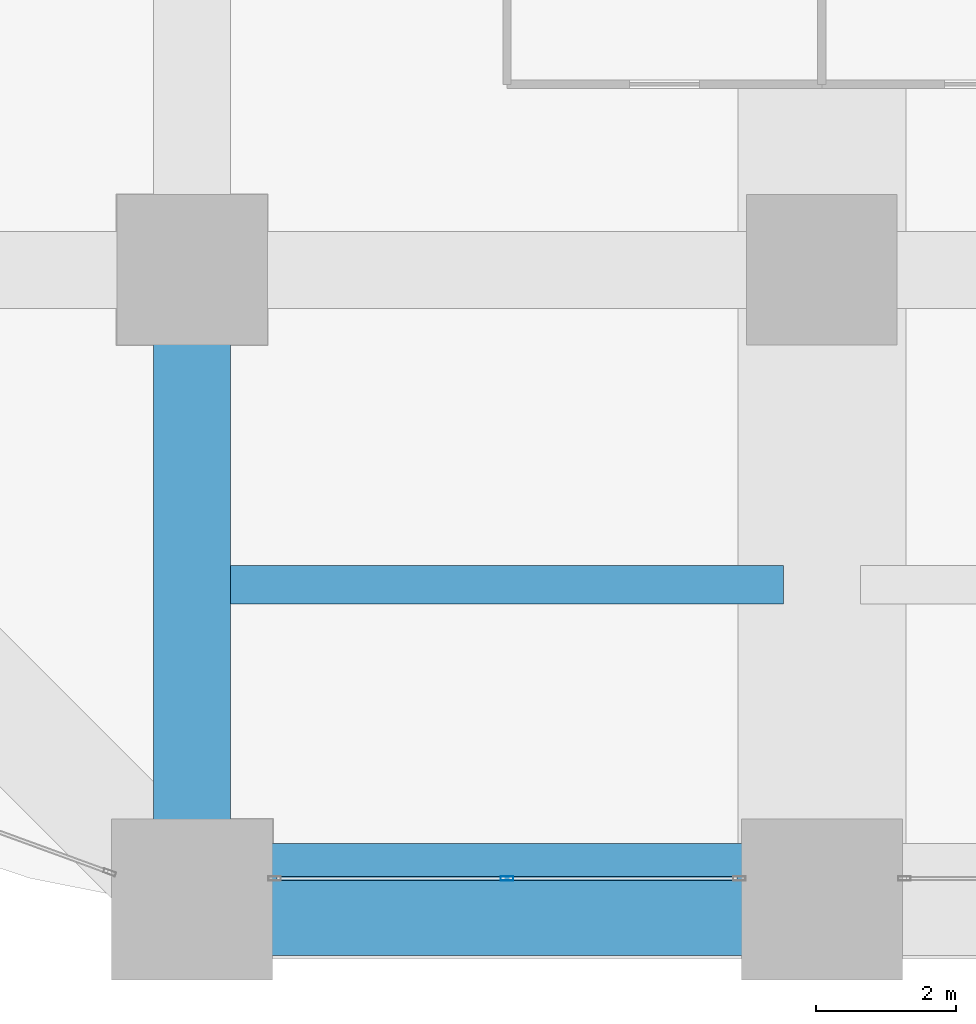
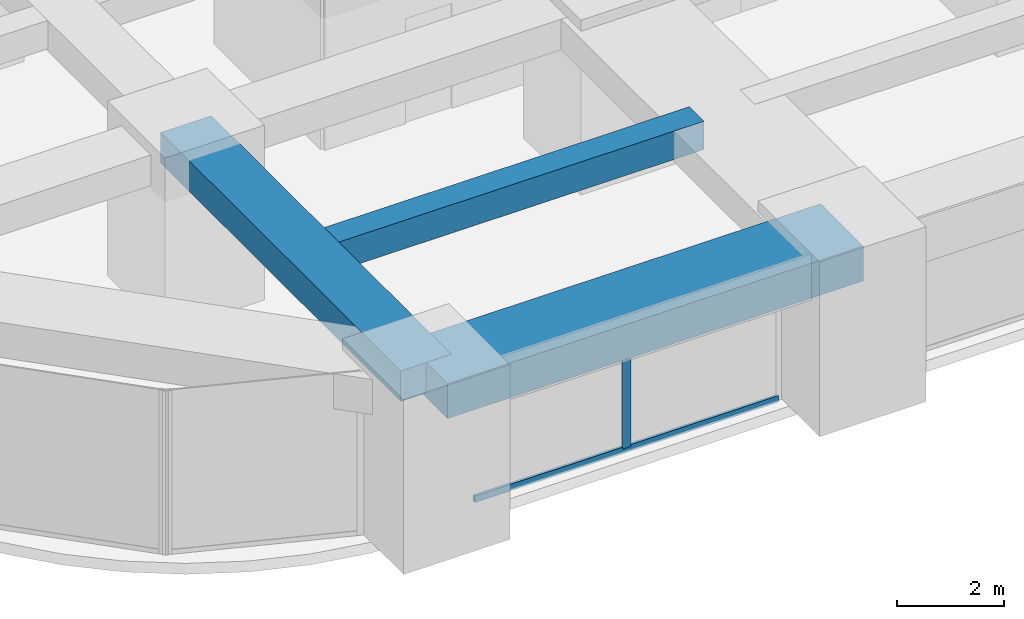
# One storey, part 3 of 44: 3 beams, 2 members, 1 element without a shape of its own.
"""IFC4 building model written with IfcOpenShell, lengths in metres."""

from ifc_helpers import new_model, si_unit, direction, frame, origin, origin_2d, place, context, subcontext, project, spatial, rectangle, hollow_rectangle, extrude, material, material_profile, profile_set, type_object, element, aggregate, save


model = new_model("IFC4")

# Units and contexts
model_context = context("Model", 3, precision=1e-05, world=origin(), true_north=direction((0.0, 1.0)))
body_context = subcontext(model_context, "Body", "Model", "MODEL_VIEW")
ifc_project = project(units=[si_unit("LENGTHUNIT", "METRE"), si_unit("AREAUNIT", "SQUARE_METRE"), si_unit("VOLUMEUNIT", "CUBIC_METRE"), si_unit("PLANEANGLEUNIT", "RADIAN"), si_unit("MASSUNIT", "GRAM", prefix="KILO")], contexts=[model_context])

# Site, building, storey
site_placement = place(None, origin())
site = spatial("IfcSite", under=ifc_project, at=site_placement, CompositionType="ELEMENT")
building_placement = place(site_placement, origin())
building = spatial("IfcBuilding", under=site, at=building_placement, Name="Zorevar Civic Tower", CompositionType="ELEMENT")
storey_placement = place(building_placement, frame((0.0, 0.0, 63.800048828125)))
storey = spatial("IfcBuildingStorey", under=building, at=storey_placement, Name="L15", CompositionType="ELEMENT", Elevation=63.800048828125)

# Beams
ifc_material_1 = material(Name="Concrete C50/60", Category="concrete")
ifc_material_profile_1 = material_profile(ifc_material_1, rectangle(XDim=1.10009765625, YDim=0.699951171875, at=origin_2d()), Name="RC 1100x700")
ifc_profile_set_1 = profile_set([ifc_material_profile_1], Name="Concrete C50/60")
beam_type_1 = type_object("IfcBeamType", Name="Beam RC 1100x700", PredefinedType="BEAM", material=ifc_profile_set_1)
beam_1_placement = place(storey_placement, frame((9.0, 0.0, 3.39990234375), z_axis=(0.0, 1.0, 0.0), x_axis=(-1.0, 0.0, 0.0)))
element("IfcBeam", 1, at=beam_1_placement, inside=storey, type_object=beam_type_1, Name="Girder L16", PredefinedType="BEAM", context=body_context, shape_type="SweptSolid", body=[
    extrude(rectangle(XDim=1.10009765625, YDim=0.699951171875, at=origin_2d()), origin(), (0.0, 0.0, 1.0), 9.0),
])
ifc_material_2 = material(Name="Concrete C50/60", Category="concrete")
ifc_material_profile_2 = material_profile(ifc_material_2, rectangle(XDim=0.550048828125, YDim=0.64990234375, at=origin_2d()), Name="RC 550x650")
ifc_profile_set_2 = profile_set([ifc_material_profile_2], Name="Concrete C50/60")
beam_type_2 = type_object("IfcBeamType", Name="Beam RC 550x650", PredefinedType="BEAM", material=ifc_profile_set_2)
beam_2_placement = place(storey_placement, frame((9.550048828125, 4.5, 3.425048828125), z_axis=(1.0, 0.0, 0.0), x_axis=(0.0, 1.0, 0.0)))
element("IfcBeam", 2, at=beam_2_placement, inside=storey, type_object=beam_type_2, Name="Secondary beam L16", PredefinedType="BEAM", context=body_context, shape_type="SweptSolid", body=[
    extrude(rectangle(XDim=0.550048828125, YDim=0.64990234375, at=origin_2d()), origin(), (0.0, 0.0, 1.0), 7.89990234375),
])

# Curtain wall, members
ifc_material_3 = material(Name="Dark grey solar-control glass in black aluminium frame", Category="aluminium")
curtain_wall_type = type_object("IfcCurtainWallType", Name="Curtain wall CW2 low zone", PredefinedType="NOTDEFINED", material=ifc_material_3)
curtain_wall_placement = place(storey_placement, origin())
curtain_wall = element("IfcCurtainWall", 3, at=curtain_wall_placement, inside=storey, type_object=curtain_wall_type, Name="CW2 L15", PredefinedType="NOTDEFINED")
ifc_material_4 = material(Name="Aluminium, black anodised", Category="aluminium")
ifc_material_profile_3 = material_profile(ifc_material_4, hollow_rectangle(XDim=0.06005859375, YDim=0.179931640625, WallThickness=0.00390625, at=origin_2d()), Name="AL 180x60x4")
ifc_profile_set_3 = profile_set([ifc_material_profile_3], Name="Aluminium, black anodised")
member_type_1 = type_object("IfcMemberType", Name="CW2 mullion AL 180x60x4", PredefinedType="MULLION", material=ifc_profile_set_3)
member_1_placement = place(storey_placement, frame((13.5, 0.300048828125, 0.06005859375), z_axis=(0.0, 0.0, 1.0), x_axis=(0.0, 1.0, 0.0)))
member_1 = element("IfcMember", 4, at=member_1_placement, type_object=member_type_1, Name="CW2 mullion 2", PredefinedType="MULLION", context=body_context, shape_type="SweptSolid", body=[
    extrude(hollow_rectangle(XDim=0.06005859375, YDim=0.179931640625, WallThickness=0.00390625, at=origin_2d()), origin(), (0.0, 0.0, 1.0), 2.889892578125),
])
ifc_material_5 = material(Name="Aluminium, black anodised", Category="aluminium")
ifc_material_profile_4 = material_profile(ifc_material_5, hollow_rectangle(XDim=0.06005859375, YDim=0.14990234375, WallThickness=0.00390625, at=origin_2d()), Name="AL 150x60x4")
ifc_profile_set_4 = profile_set([ifc_material_profile_4], Name="Aluminium, black anodised")
member_type_2 = type_object("IfcMemberType", Name="CW2 transom AL 150x60x4", PredefinedType="USERDEFINED", material=ifc_profile_set_4)
member_2_placement = place(storey_placement, frame((10.2099609375, 0.300048828125, 0.030029296875), z_axis=(1.0, 0.0, 0.0), x_axis=(0.0, 1.0, 0.0)))
member_2 = element("IfcMember", 5, at=member_2_placement, type_object=member_type_2, Name="CW2 sill transom", ObjectType="TRANSOM", PredefinedType="USERDEFINED", context=body_context, shape_type="SweptSolid", body=[
    extrude(hollow_rectangle(XDim=0.06005859375, YDim=0.14990234375, WallThickness=0.00390625, at=origin_2d()), origin(), (0.0, 0.0, 1.0), 6.580078125),
])
aggregate(curtain_wall, [member_1, member_2])

# Beam
ifc_material_6 = material(Name="Concrete C50/60", Category="concrete")
ifc_material_profile_5 = material_profile(ifc_material_6, rectangle(XDim=1.60009765625, YDim=0.800048828125, at=origin_2d()), Name="RC 1600x800")
ifc_profile_set_5 = profile_set([ifc_material_profile_5], Name="Concrete C50/60")
beam_type_3 = type_object("IfcBeamType", Name="Edge beam RC 1600x800", PredefinedType="SPANDREL", material=ifc_profile_set_5)
beam_3_placement = place(storey_placement, frame((9.0, 0.0, 3.349853515625), z_axis=(1.0, 0.0, 0.0), x_axis=(0.0, 1.0, 0.0)))
element("IfcBeam", 6, at=beam_3_placement, inside=storey, type_object=beam_type_3, Name="Edge beam L16", PredefinedType="SPANDREL", context=body_context, shape_type="SweptSolid", body=[
    extrude(rectangle(XDim=1.60009765625, YDim=0.800048828125, at=origin_2d()), origin(), (0.0, 0.0, 1.0), 9.0),
])

save(model, "model.ifc")
